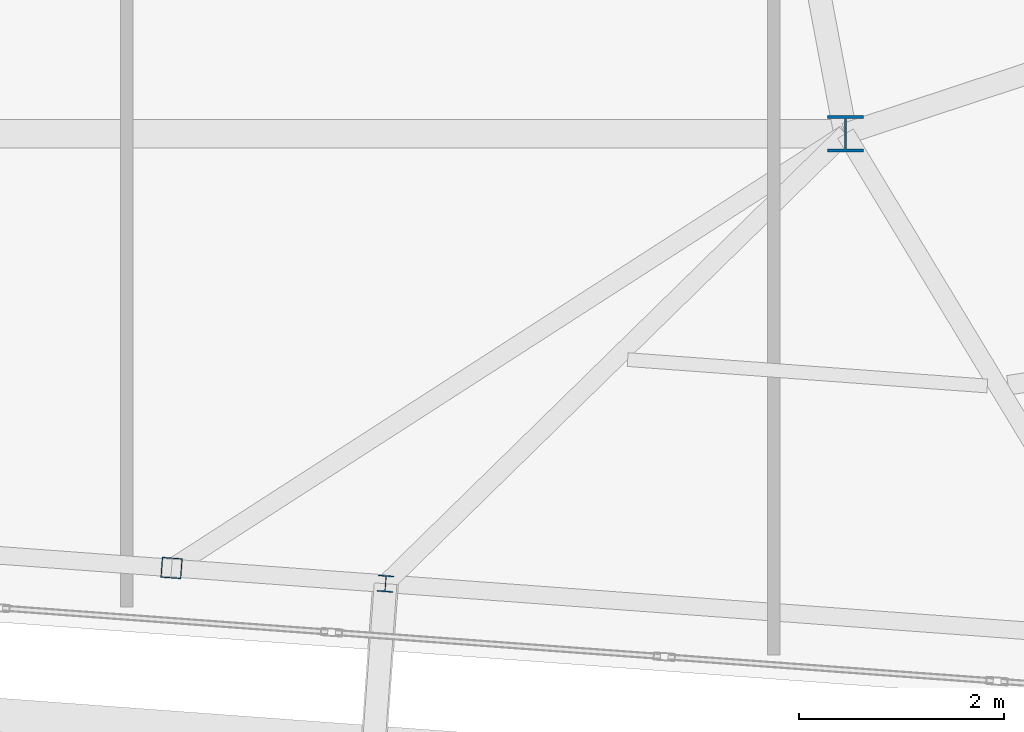
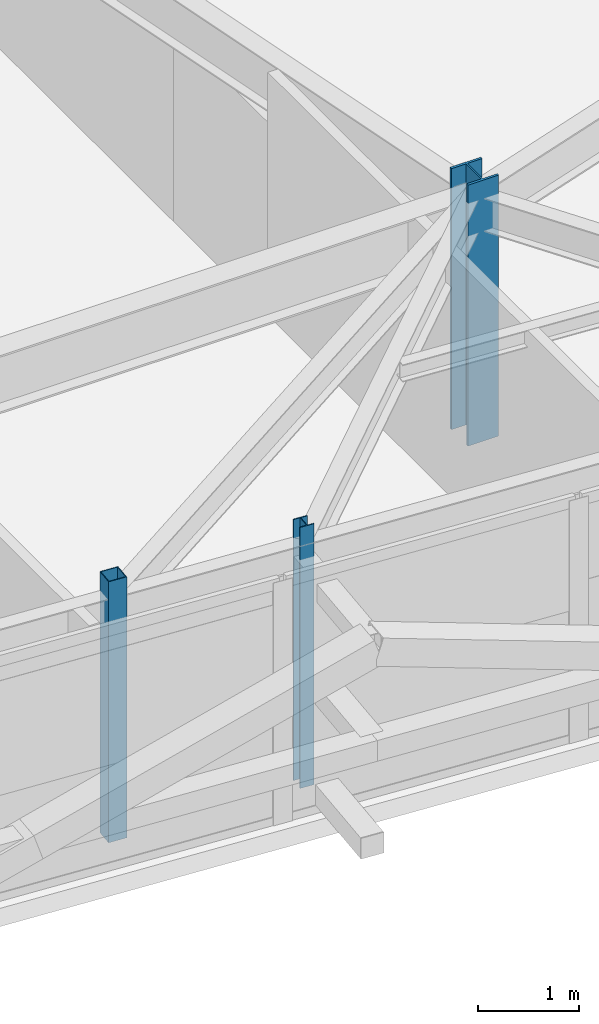
# One storey, part 2 of 42: 3 columns.
"""IFC4 building model written with IfcOpenShell, lengths in metres."""

import ifcopenshell
import ifcopenshell.guid

model = None  # the IFC model being written
_history = None  # IfcOwnerHistory: only IFC2X3 demands one
_inside = {}  # id of a spatial element -> (the spatial element, [elements in it])
_under = {}  # id of a project, library or spatial element -> (it, [spatial elements below it])
_declared = {}  # id of a project -> (the project, [libraries it declares])
_typed = {}  # id of a type object -> (the type object, [elements of that type])
_made_of = {}  # id of a material, layer set ... -> (it, [elements and type objects made of it])


def new_model(schema):
    """Start an empty IFC model of exactly this schema.

    Asked for "IFC4X3", IfcOpenShell would pick the latest addendum, in which some entities
    have other attributes; the version numbers below select the first issue.
    IFC2X3 requires an IfcOwnerHistory on every rooted entity: one is made here for all.
    """
    global model, _history
    if schema == "IFC4X3":
        model = ifcopenshell.file(schema_version=(4, 3, 0, 0))
    else:
        model = ifcopenshell.file(schema=schema)
    _inside.clear()
    _under.clear()
    _declared.clear()
    _typed.clear()
    _made_of.clear()
    _history = None
    if model.schema == "IFC2X3":
        org = make("IfcOrganization", Name="unknown")
        user = make(
            "IfcPersonAndOrganization",
            ThePerson=make("IfcPerson", FamilyName="unknown"),
            TheOrganization=org,
        )
        app = make(
            "IfcApplication",
            ApplicationDeveloper=org,
            Version="unknown",
            ApplicationFullName="unknown",
            ApplicationIdentifier="unknown",
        )
        _history = make(
            "IfcOwnerHistory",
            OwningUser=user,
            OwningApplication=app,
            ChangeAction="ADDED",
            CreationDate=0,
        )
    return model


def make(cls, **values):
    """One entity of the class cls with the attributes given. An attribute that is None is left unset."""
    return model.create_entity(
        cls, **{name: value for name, value in values.items() if value is not None}
    )


def rooted(cls, **values):
    """An entity with a GlobalId (a new one), such as an element, a storey or a relation."""
    return make(cls, GlobalId=ifcopenshell.guid.new(), OwnerHistory=_history, **values)


def si_unit(unit_type, name, prefix=None):
    """IfcSIUnit, for example si_unit("LENGTHUNIT", "METRE", prefix="MILLI")."""
    return make("IfcSIUnit", UnitType=unit_type, Prefix=prefix, Name=name)


def assignment(units):
    """IfcUnitAssignment: the units of a project."""
    return None if units is None else make("IfcUnitAssignment", Units=units)


def point(xyz):
    """IfcCartesianPoint."""
    return None if xyz is None else make("IfcCartesianPoint", Coordinates=xyz)


def direction(xyz):
    """IfcDirection."""
    return None if xyz is None else make("IfcDirection", DirectionRatios=xyz)


def frame(location, z_axis=None, x_axis=None):
    """IfcAxis2Placement3D, a coordinate frame: its origin and axes. An axis left out is left unset."""
    return make(
        "IfcAxis2Placement3D",
        Location=point(location),
        Axis=direction(z_axis),
        RefDirection=direction(x_axis),
    )


def frame_2d(location, x_axis=None):
    """IfcAxis2Placement2D, a coordinate frame in the plane: its origin and x axis."""
    return make(
        "IfcAxis2Placement2D", Location=point(location), RefDirection=direction(x_axis)
    )


def origin():
    """The frame at (0, 0, 0) with its axes left unset."""
    return frame((0.0, 0.0, 0.0))


def origin_2d():
    """The frame at (0, 0) in the plane with its x axis left unset."""
    return frame_2d((0.0, 0.0))


def place(relative_to, where):
    """IfcLocalPlacement: puts the frame where relative to a parent placement (None: the world)."""
    return make(
        "IfcLocalPlacement", PlacementRelTo=relative_to, RelativePlacement=where
    )


def context(
    kind, dimensions, precision=None, world=None, true_north=None, identifier=None
):
    """IfcGeometricRepresentationContext, for example the 3D "Model" context."""
    return make(
        "IfcGeometricRepresentationContext",
        ContextIdentifier=identifier,
        ContextType=kind,
        CoordinateSpaceDimension=dimensions,
        Precision=precision,
        WorldCoordinateSystem=world,
        TrueNorth=true_north,
    )


def subcontext(parent, identifier, kind, view, scale=None):
    """IfcGeometricRepresentationSubContext, for example "Body" below "Model"."""
    return make(
        "IfcGeometricRepresentationSubContext",
        ContextIdentifier=identifier,
        ContextType=kind,
        ParentContext=parent,
        TargetScale=scale,
        TargetView=view,
    )


def project(units=None, contexts=None):
    """IfcProject with its units and contexts."""
    return rooted(
        "IfcProject",
        Name="project",
        RepresentationContexts=contexts,
        UnitsInContext=assignment(units),
    )


def spatial(cls, under=None, at=None, **own):
    """A site, building, storey or space (cls), placed at a placement, below another one or the project."""
    s = rooted(cls, ObjectPlacement=at, **own)
    if under is not None:
        _under.setdefault(under.id(), (under, []))[1].append(s)
    return s


def profile(cls, at=None, kind="AREA", **sizes):
    """A parametric profile (cls). Its sizes go by their IFC names, for example OverallWidth=200.0."""
    return make(cls, ProfileType=kind, Position=at, **sizes)


def hollow_rectangle(**sizes):
    """IfcRectangleHollowProfileDef."""
    return profile("IfcRectangleHollowProfileDef", **sizes)


def i_section(**sizes):
    """IfcIShapeProfileDef."""
    return profile("IfcIShapeProfileDef", **sizes)


def extrude(swept, where, along, depth):
    """IfcExtrudedAreaSolid: the profile swept, set in the frame where, extruded along a direction by depth."""
    return make(
        "IfcExtrudedAreaSolid",
        SweptArea=swept,
        Position=where,
        ExtrudedDirection=direction(along),
        Depth=depth,
    )


def shape(context_of_items, identifier, shape_type, items):
    """IfcShapeRepresentation: the items that make up one representation, for example the "Body"."""
    return make(
        "IfcShapeRepresentation",
        ContextOfItems=context_of_items,
        RepresentationIdentifier=identifier,
        RepresentationType=shape_type,
        Items=items,
    )


def source(mapping_origin, context_of_items, identifier, shape_type, items):
    """IfcRepresentationMap: a shape defined once, which mapped items show again and again."""
    return make(
        "IfcRepresentationMap",
        MappingOrigin=mapping_origin,
        MappedRepresentation=shape(context_of_items, identifier, shape_type, items),
    )


def transform(
    local_origin,
    x_axis=None,
    y_axis=None,
    z_axis=None,
    scale=None,
    scale2=None,
    scale3=None,
    uniform=True,
):
    """IfcCartesianTransformationOperator3D, or its non-uniform kind. x_axis, y_axis, z_axis: its Axis1, 2, 3."""
    if uniform:
        return make(
            "IfcCartesianTransformationOperator3D",
            Axis1=direction(x_axis),
            Axis2=direction(y_axis),
            LocalOrigin=point(local_origin),
            Scale=scale,
            Axis3=direction(z_axis),
        )
    return make(
        "IfcCartesianTransformationOperator3DnonUniform",
        Axis1=direction(x_axis),
        Axis2=direction(y_axis),
        LocalOrigin=point(local_origin),
        Scale=scale,
        Axis3=direction(z_axis),
        Scale2=scale2,
        Scale3=scale3,
    )


def mapped(mapping_source, mapping_target):
    """IfcMappedItem: shows the shape of a source again, moved by a transform."""
    return make(
        "IfcMappedItem", MappingSource=mapping_source, MappingTarget=mapping_target
    )


def material(Name=None, Category=None):
    """IfcMaterial."""
    return make("IfcMaterial", Name=Name, Category=Category)


def material_profile(
    of_material, cross_section, Name=None, Category=None, Priority=None
):
    """IfcMaterialProfile: a cross section and its material."""
    return make(
        "IfcMaterialProfile",
        Name=Name,
        Material=of_material,
        Profile=cross_section,
        Priority=Priority,
        Category=Category,
    )


def profile_set(profiles, Name=None, composite=None):
    """IfcMaterialProfileSet."""
    return make(
        "IfcMaterialProfileSet",
        Name=Name,
        MaterialProfiles=profiles,
        CompositeProfile=composite,
    )


def made_of(thing, what):
    """Note that an element or type object is made of a material, layer set ...; save() writes the relation."""
    if what is not None:
        _made_of.setdefault(what.id(), (what, []))[1].append(thing)
    return thing


def type_object(cls, material=None, **own):
    """A type object (cls), such as IfcWallType, which elements share."""
    return made_of(rooted(cls, **own), material)


def element(
    cls,
    number,
    at=None,
    inside=None,
    cuts=None,
    type_object=None,
    material=None,
    context=None,
    identifier="Body",
    shape_type=None,
    held_by="IfcProductDefinitionShape",
    body=None,
    shapes=None,
    **own,
):
    """One element of the class cls, such as IfcWall. Its Tag is "e" and its number.

    at: its placement. inside: the storey or other place that contains it. cuts: it is an
    opening in that element (IfcRelVoidsElement). A single representation is given by context,
    identifier, shape_type and body (its items); several are given by shapes. held_by: the class
    of the entity that holds the representations. save() writes the other relations.
    """
    e = rooted(cls, Tag="e%d" % number, ObjectPlacement=at, **own)
    if body is not None:
        shapes = [shape(context, identifier, shape_type, body)]
    if shapes is not None:
        e.Representation = make(held_by, Representations=shapes)
    if inside is not None:
        _inside.setdefault(inside.id(), (inside, []))[1].append(e)
    if cuts is not None:
        rooted(
            "IfcRelVoidsElement", RelatingBuildingElement=cuts, RelatedOpeningElement=e
        )
    if type_object is not None:
        _typed.setdefault(type_object.id(), (type_object, []))[1].append(e)
    return made_of(e, material)


def aggregate(whole, parts):
    """IfcRelAggregates: a whole, such as a stair, and the parts it consists of."""
    return rooted("IfcRelAggregates", RelatingObject=whole, RelatedObjects=parts)


def save(model, path):
    """Write the relations noted so far, then the file.

    IfcRelAggregates (storeys below a building ...), IfcRelContainedInSpatialStructure (elements
    in a storey), IfcRelDefinesByType, IfcRelAssociatesMaterial and IfcRelDeclares: one each for
    every whole, place, type object, material and project.
    """
    for whole, parts in _under.values():
        aggregate(whole, parts)
    for where, things in _inside.values():
        rooted(
            "IfcRelContainedInSpatialStructure",
            RelatedElements=things,
            RelatingStructure=where,
        )
    for kind, things in _typed.values():
        rooted("IfcRelDefinesByType", RelatedObjects=things, RelatingType=kind)
    for what, things in _made_of.values():
        rooted("IfcRelAssociatesMaterial", RelatedObjects=things, RelatingMaterial=what)
    for by, libraries in _declared.values():
        rooted("IfcRelDeclares", RelatingContext=by, RelatedDefinitions=libraries)
    model.write(path)


model = new_model("IFC4")

# Units and contexts
model_context = context("Model", 3, precision=1e-05, world=origin(), true_north=direction((0.0, 1.0)))
body_context = subcontext(model_context, "Body", "Model", "MODEL_VIEW")
ifc_project = project(units=[si_unit("LENGTHUNIT", "METRE"), si_unit("AREAUNIT", "SQUARE_METRE"), si_unit("VOLUMEUNIT", "CUBIC_METRE"), si_unit("PLANEANGLEUNIT", "RADIAN"), si_unit("MASSUNIT", "GRAM", prefix="KILO")], contexts=[model_context])

# Site, building, storey
site_placement = place(None, origin())
site = spatial("IfcSite", under=ifc_project, at=site_placement, CompositionType="ELEMENT")
building_placement = place(site_placement, origin())
building = spatial("IfcBuilding", under=site, at=building_placement, Name="Taldren Reach Tower", CompositionType="ELEMENT")
storey_placement = place(building_placement, frame((0.0, 0.0, 224.0)))
storey = spatial("IfcBuildingStorey", under=building, at=storey_placement, Name="L68", CompositionType="ELEMENT", Elevation=224.0)

# Columns
ifc_material_1 = material(Name="Steel Gr 350 (350PLUS)", Category="steel")
ifc_material_profile_1 = material_profile(ifc_material_1, i_section(OverallWidth=0.35009765625, OverallDepth=0.35595703125, WebThickness=0.01806640625, FlangeThickness=0.028076171875, at=origin_2d()), Name="350WC197")
ifc_profile_set_1 = profile_set([ifc_material_profile_1], Name="Steel Gr 350 (350PLUS)")
column_type_1 = type_object("IfcColumnType", Name="COL-WC350", PredefinedType="COLUMN", material=ifc_profile_set_1)
shared_shape_1 = source(origin(), body_context, "Body", "SweptSolid", [
    extrude(i_section(OverallWidth=0.35009765625, OverallDepth=0.35595703125, WebThickness=0.01806640625, FlangeThickness=0.028076171875, at=origin_2d()), origin(), (0.0, 0.0, 1.0), 3.14990234375),
])
column_1_placement = place(storey_placement, frame((42.0, 9.199951171875, 0.0), z_axis=(0.0, 0.0, 1.0), x_axis=(1.0, 0.0, 0.0)))
element("IfcColumn", 1, at=column_1_placement, inside=storey, type_object=column_type_1, Name="Mega column MC-PJE L68", PredefinedType="COLUMN", context=body_context, shape_type="MappedRepresentation", body=[
    mapped(shared_shape_1, transform((0.0, 0.0, 0.0), scale=1.0)),
])
ifc_material_2 = material(Name="Steel Gr 350 (C350L0)", Category="steel")
ifc_material_profile_2 = material_profile(ifc_material_2, hollow_rectangle(XDim=0.199951171875, YDim=0.199951171875, WallThickness=0.009033203125, at=origin_2d()), Name="200x200x9.0SHS")
ifc_profile_set_2 = profile_set([ifc_material_profile_2], Name="Steel Gr 350 (C350L0)")
column_type_2 = type_object("IfcColumnType", Name="COL-SHS200", PredefinedType="COLUMN", material=ifc_profile_set_2)
shared_shape_2 = source(origin(), body_context, "Body", "SweptSolid", [
    extrude(hollow_rectangle(XDim=0.199951171875, YDim=0.199951171875, WallThickness=0.009033203125, at=origin_2d()), origin(), (0.0, 0.0, 1.0), 3.14990234375),
])
column_2_placement = place(storey_placement, frame((35.43603515625, 4.9697265625, 0.0), z_axis=(0.0, 0.0, 1.0), x_axis=(0.997314477224, -0.073238197128, 0.0)))
element("IfcColumn", 2, at=column_2_placement, inside=storey, type_object=column_type_2, Name="Block B5 perimeter column PJ2 L68", PredefinedType="COLUMN", context=body_context, shape_type="MappedRepresentation", body=[
    mapped(shared_shape_2, transform((0.0, 0.0, 0.0), scale=1.0)),
])
ifc_material_profile_3 = material_profile(ifc_material_1, i_section(OverallWidth=0.154052734375, OverallDepth=0.162109375, WebThickness=0.008056640625, FlangeThickness=0.011474609375, at=origin_2d()), Name="150UC37.2")
ifc_profile_set_3 = profile_set([ifc_material_profile_3], Name="Steel Gr 350 (350PLUS)")
column_type_3 = type_object("IfcColumnType", Name="COL-UC150", PredefinedType="COLUMN", material=ifc_profile_set_3)
shared_shape_3 = source(origin(), body_context, "Body", "SweptSolid", [
    extrude(i_section(OverallWidth=0.154052734375, OverallDepth=0.162109375, WebThickness=0.008056640625, FlangeThickness=0.011474609375, at=origin_2d()), origin(), (0.0, 0.0, 1.0), 3.14990234375),
])
column_3_placement = place(storey_placement, frame((37.5205078125, 4.81689453125, 0.0), z_axis=(0.0, 0.0, 1.0), x_axis=(0.997314477224, -0.073238197128, 0.0)))
element("IfcColumn", 3, at=column_3_placement, inside=storey, type_object=column_type_3, Name="Block B5 perimeter column S4 L68", PredefinedType="COLUMN", context=body_context, shape_type="MappedRepresentation", body=[
    mapped(shared_shape_3, transform((0.0, 0.0, 0.0), scale=1.0)),
])

save(model, "model.ifc")
